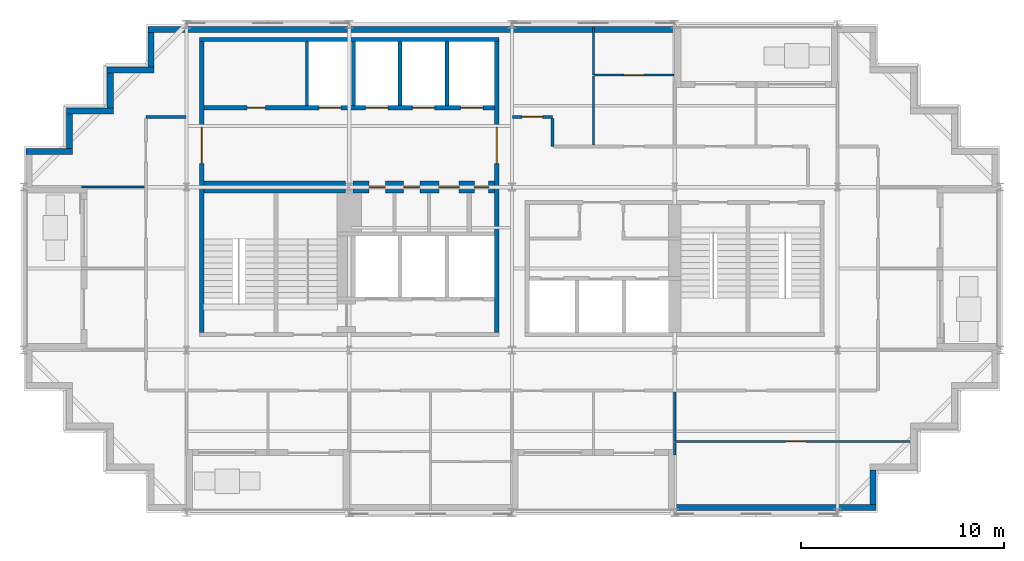
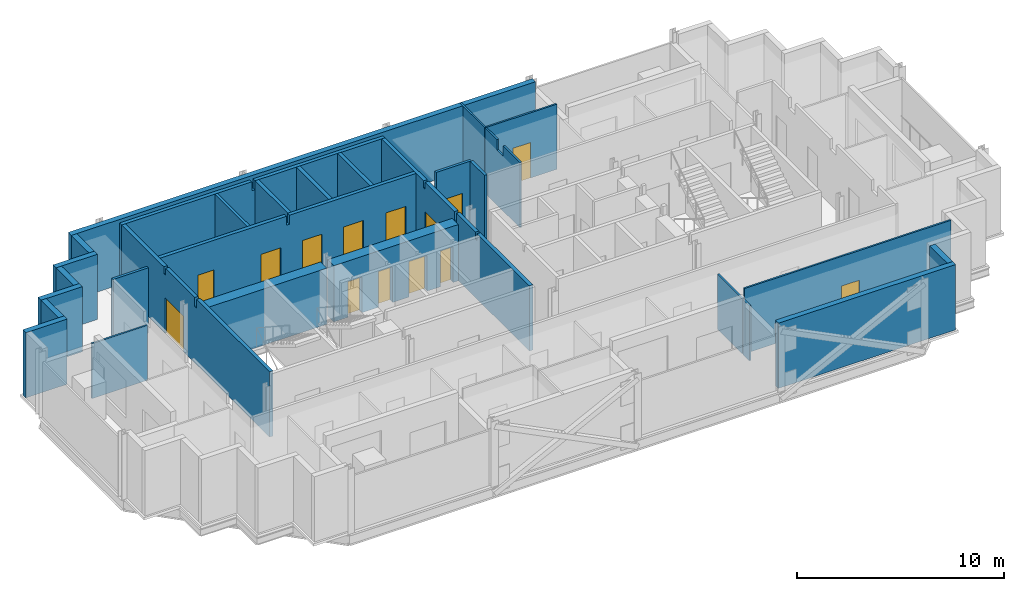
# One storey, part 6 of 10: 29 walls, 14 doors, 14 openings.
"""IFC4 building model written with IfcOpenShell, lengths in metres."""

from ifc_helpers import new_model, si_unit, direction, frame, frame_2d, origin, place, context, subcontext, project, spatial, polyline, rectangle, outline, extrude, material, layer, layer_set, type_object, element, fill, save


model = new_model("IFC4")

# Units and contexts
model_context = context("Model", 3, precision=1e-05, world=origin(), true_north=direction((0.0, 1.0)))
body_context = subcontext(model_context, "Body", "Model", "MODEL_VIEW")
ifc_project = project(units=[si_unit("LENGTHUNIT", "METRE"), si_unit("AREAUNIT", "SQUARE_METRE"), si_unit("VOLUMEUNIT", "CUBIC_METRE"), si_unit("PLANEANGLEUNIT", "RADIAN"), si_unit("MASSUNIT", "GRAM", prefix="KILO")], contexts=[model_context])

# Site, building, storey
site_placement = place(None, origin())
site = spatial("IfcSite", under=ifc_project, at=site_placement, CompositionType="ELEMENT")
building_placement = place(site_placement, origin())
building = spatial("IfcBuilding", under=site, at=building_placement, Name="Immortelle Media Tower", CompositionType="ELEMENT")
storey_placement = place(building_placement, frame((0.0, 0.0, 279.0)))
storey = spatial("IfcBuildingStorey", under=building, at=storey_placement, Name="L61", CompositionType="ELEMENT", Elevation=279.0)

# Wall, openings, doors
ifc_material_1 = material(Name="Fire-rated masonry blockwork", Category="masonry")
ifc_layer_1 = layer(ifc_material_1, 0.60009765625)
ifc_layer_set_1 = layer_set([ifc_layer_1], Name="Fire-rated masonry blockwork")
wall_type_1 = type_object("IfcWallType", Name="Core grid-line wall 600", PredefinedType="PARTITIONING", material=ifc_layer_set_1)
wall_1_placement = place(storey_placement, frame((16.19140625, 16.0, 0.0), z_axis=(0.0, 0.0, 1.0), x_axis=(1.0, 0.0, 0.0)))
wall_1 = element("IfcWall", 1, at=wall_1_placement, inside=storey, type_object=wall_type_1, Name="Core grid-line wall SW", PredefinedType="PARTITIONING", context=body_context, shape_type="SweptSolid", body=[
    extrude(rectangle(XDim=6.95849609375, YDim=0.60009765625, at=frame_2d((3.479248046875, 0.0))), origin(), (0.0, 0.0, 1.0), 3.318115234375),
])
opening_1_placement = place(wall_1_placement, frame((1.58349609375, 0.0, 0.0), z_axis=(0.0, 0.0, 1.0), x_axis=(-1.0, 0.0, 0.0)))
opening_1 = element("IfcOpeningElement", 2, at=opening_1_placement, cuts=wall_1, Name="Opening X4-K009", PredefinedType="OPENING", context=body_context, shape_type="SweptSolid", body=[
    extrude(rectangle(XDim=0.800048828125, YDim=2.10009765625, at=frame_2d((0.39990234375, 1.050048828125))), frame((0.0, 0.31005859375, 0.0), z_axis=(0.0, -1.0, 0.0), x_axis=(1.0, 0.0, 0.0)), (0.0, 0.0, 1.0), 0.6201171875),
])
opening_2_placement = place(wall_1_placement, frame((3.283447265625, 0.0, 0.0), z_axis=(0.0, 0.0, 1.0), x_axis=(-1.0, 0.0, 0.0)))
opening_2 = element("IfcOpeningElement", 3, at=opening_2_placement, cuts=wall_1, Name="Opening X4-K010", PredefinedType="OPENING", context=body_context, shape_type="SweptSolid", body=[
    extrude(rectangle(XDim=0.800048828125, YDim=2.10009765625, at=frame_2d((0.39990234375, 1.050048828125))), frame((0.0, 0.31005859375, 0.0), z_axis=(0.0, -1.0, 0.0), x_axis=(1.0, 0.0, 0.0)), (0.0, 0.0, 1.0), 0.6201171875),
])
opening_3_placement = place(wall_1_placement, frame((5.20849609375, 0.0, 0.0), z_axis=(0.0, 0.0, 1.0), x_axis=(-1.0, 0.0, 0.0)))
opening_3 = element("IfcOpeningElement", 4, at=opening_3_placement, cuts=wall_1, Name="Opening X4-K014", PredefinedType="OPENING", context=body_context, shape_type="SweptSolid", body=[
    extrude(rectangle(XDim=1.0, YDim=2.10009765625, at=frame_2d((0.5, 1.050048828125))), frame((0.0, 0.31005859375, 0.0), z_axis=(0.0, -1.0, 0.0), x_axis=(1.0, 0.0, 0.0)), (0.0, 0.0, 1.0), 0.6201171875),
])
opening_4_placement = place(wall_1_placement, frame((6.658447265625, 0.0, 0.0), z_axis=(0.0, 0.0, 1.0), x_axis=(-1.0, 0.0, 0.0)))
opening_4 = element("IfcOpeningElement", 5, at=opening_4_placement, cuts=wall_1, Name="Opening X4-K017", PredefinedType="OPENING", context=body_context, shape_type="SweptSolid", body=[
    extrude(rectangle(XDim=0.699951171875, YDim=2.10009765625, at=frame_2d((0.35009765625, 1.050048828125))), frame((0.0, 0.31005859375, 0.0), z_axis=(0.0, -1.0, 0.0), x_axis=(1.0, 0.0, 0.0)), (0.0, 0.0, 1.0), 0.6201171875),
])
ifc_material_2 = material(Name="Timber", Category="wood")
door_type_1 = type_object("IfcDoorType", Name="Accessible toilet door 1000 x 2100", OperationType="NOTDEFINED", PredefinedType="NOTDEFINED", material=ifc_material_2)
door_1_placement = place(opening_3_placement, origin())
door_1 = element("IfcDoor", 6, at=door_1_placement, inside=storey, type_object=door_type_1, Name="Accessible toilet X4-K014", OperationType="SINGLE_SWING_RIGHT", OverallHeight=2.10009765625, OverallWidth=1.0, PredefinedType="NOTDEFINED", context=body_context, shape_type="SweptSolid", body=[
    extrude(rectangle(XDim=1.0, YDim=2.10009765625, at=frame_2d((0.5, 1.050048828125))), frame((0.0, 0.02490234375, 0.0), z_axis=(0.0, -1.0, 0.0), x_axis=(1.0, 0.0, 0.0)), (0.0, 0.0, 1.0), 0.050048828125),
])
fill(opening_3, door_1)
ifc_material_3 = material(Name="Galvanised steel door leaf and frame ASTM A653", Category="steel")
door_type_2 = type_object("IfcDoorType", Name="Service door 700 x 2100", OperationType="NOTDEFINED", PredefinedType="NOTDEFINED", material=ifc_material_3)
door_2_placement = place(opening_4_placement, origin())
door_2 = element("IfcDoor", 7, at=door_2_placement, inside=storey, type_object=door_type_2, Name="Service X4-K017", OperationType="SINGLE_SWING_RIGHT", OverallHeight=2.10009765625, OverallWidth=0.699951171875, PredefinedType="NOTDEFINED", context=body_context, shape_type="SweptSolid", body=[
    extrude(rectangle(XDim=0.699951171875, YDim=2.10009765625, at=frame_2d((0.35009765625, 1.050048828125))), frame((0.0, 0.02490234375, 0.0), z_axis=(0.0, -1.0, 0.0), x_axis=(1.0, 0.0, 0.0)), (0.0, 0.0, 1.0), 0.050048828125),
])
fill(opening_4, door_2)
door_type_3 = type_object("IfcDoorType", Name="Toilet door 800 x 2100", OperationType="NOTDEFINED", PredefinedType="NOTDEFINED", material=ifc_material_2)
door_3_placement = place(opening_1_placement, origin())
door_3 = element("IfcDoor", 8, at=door_3_placement, inside=storey, type_object=door_type_3, Name="Toilet X4-K009", OperationType="SINGLE_SWING_RIGHT", OverallHeight=2.10009765625, OverallWidth=0.800048828125, PredefinedType="NOTDEFINED", context=body_context, shape_type="SweptSolid", body=[
    extrude(rectangle(XDim=0.800048828125, YDim=2.10009765625, at=frame_2d((0.39990234375, 1.050048828125))), frame((0.0, 0.02490234375, 0.0), z_axis=(0.0, -1.0, 0.0), x_axis=(1.0, 0.0, 0.0)), (0.0, 0.0, 1.0), 0.050048828125),
])
fill(opening_1, door_3)
door_4_placement = place(opening_2_placement, origin())
door_4 = element("IfcDoor", 9, at=door_4_placement, inside=storey, type_object=door_type_3, Name="Toilet X4-K010", OperationType="SINGLE_SWING_LEFT", OverallHeight=2.10009765625, OverallWidth=0.800048828125, PredefinedType="NOTDEFINED", context=body_context, shape_type="SweptSolid", body=[
    extrude(rectangle(XDim=0.800048828125, YDim=2.10009765625, at=frame_2d((0.39990234375, 1.050048828125))), frame((0.0, 0.02490234375, 0.0), z_axis=(0.0, -1.0, 0.0), x_axis=(1.0, 0.0, 0.0)), (0.0, 0.0, 1.0), 0.050048828125),
])
fill(opening_2, door_4)

# Walls
ifc_material_4 = material(Name="Fire-rated gypsum board", Category="gypsum")
ifc_layer_2 = layer(ifc_material_4, 0.02490234375)
ifc_material_5 = material(Name="Steel ASTM A653 SS Gr 50 stud frame with mineral wool", Category="steel")
ifc_layer_3 = layer(ifc_material_5, 0.10009765625)
ifc_layer_4 = layer(ifc_material_4, 0.02490234375)
ifc_layer_set_2 = layer_set([ifc_layer_2, ifc_layer_3, ifc_layer_4], Name="Steel ASTM A653 SS Gr 50 stud frame with mineral wool")
wall_type_2 = type_object("IfcWallType", Name="Core partition 150", PredefinedType="PARTITIONING", material=ifc_layer_set_2)
wall_2_placement = place(storey_placement, frame((13.925048828125, 20.0, 0.0), z_axis=(0.0, 0.0, 1.0), x_axis=(0.0, 1.0, 0.0)))
element("IfcWall", 10, at=wall_2_placement, inside=storey, type_object=wall_type_2, Name="Core partition SW", PredefinedType="PARTITIONING", context=body_context, shape_type="SweptSolid", body=[
    extrude(rectangle(XDim=3.14990234375, YDim=0.14990234375, at=frame_2d((1.574951171875, 0.0))), origin(), (0.0, 0.0, 1.0), 3.85009765625),
])
ifc_layer_5 = layer(ifc_material_4, 0.03759765625)
ifc_layer_6 = layer(ifc_material_5, 0.125)
ifc_layer_7 = layer(ifc_material_4, 0.03759765625)
ifc_layer_set_3 = layer_set([ifc_layer_5, ifc_layer_6, ifc_layer_7], Name="Steel ASTM A653 SS Gr 50 stud frame with mineral wool")
wall_type_3 = type_object("IfcWallType", Name="Core shaft wall 200", PredefinedType="PARTITIONING", material=ifc_layer_set_3)
wall_3_placement = place(storey_placement, frame((8.64990234375, 23.25, 0.0), z_axis=(0.0, 0.0, 1.0), x_axis=(1.0, 0.0, 0.0)))
element("IfcWall", 11, at=wall_3_placement, inside=storey, type_object=wall_type_3, Name="Core shaft wall SW", PredefinedType="PARTITIONING", context=body_context, shape_type="SweptSolid", body=[
    extrude(outline(polyline([(0.0, 0.0), (14.7001953125, 0.0), (14.699951171875, 3.85009765625), (7.4375, 3.85009765625), (7.4365234375, 3.318115234375), (7.263427734375, 3.318115234375), (7.262451171875, 3.85009765625), (0.0, 3.85009765625), (0.0, 0.0)])), frame((0.0, 0.10009765625, 0.0), z_axis=(0.0, -1.0, 0.0), x_axis=(1.0, 0.0, 0.0)), (0.0, 0.0, 1.0), 0.199951171875),
])

# Wall, openings, doors
wall_4_placement = place(storey_placement, frame((8.85009765625, 19.89990234375, 0.0), z_axis=(0.0, 0.0, 1.0), x_axis=(1.0, 0.0, 0.0)))
wall_4 = element("IfcWall", 12, at=wall_4_placement, inside=storey, type_object=wall_type_3, Name="Core shaft wall SW", PredefinedType="PARTITIONING", context=body_context, shape_type="SweptSolid", body=[
    extrude(outline(polyline([(0.0, 0.0), (14.2998046875, 0.0), (14.300048828125, 3.85009765625), (7.237548828125, 3.85009765625), (7.236572265625, 3.318115234375), (7.0634765625, 3.318115234375), (7.0625, 3.85009765625), (0.0, 3.85009765625), (0.0, 0.0)])), frame((0.0, 0.10009765625, 0.0), z_axis=(0.0, -1.0, 0.0), x_axis=(1.0, 0.0, 0.0)), (0.0, 0.0, 1.0), 0.199951171875),
])
opening_5_placement = place(wall_4_placement, frame((2.125, 0.0, 0.0)))
opening_5 = element("IfcOpeningElement", 13, at=opening_5_placement, cuts=wall_4, Name="Opening X4-K003", PredefinedType="OPENING", context=body_context, shape_type="SweptSolid", body=[
    extrude(rectangle(XDim=0.89990234375, YDim=2.10009765625, at=frame_2d((0.449951171875, 1.050048828125))), frame((0.0, 0.10986328125, 0.0), z_axis=(0.0, -1.0, 0.0), x_axis=(1.0, 0.0, 0.0)), (0.0, 0.0, 1.0), 0.219970703125),
])
opening_6_placement = place(wall_4_placement, frame((5.64990234375, 0.0, 0.0)))
opening_6 = element("IfcOpeningElement", 14, at=opening_6_placement, cuts=wall_4, Name="Opening LD", PredefinedType="OPENING", context=body_context, shape_type="SweptSolid", body=[
    extrude(rectangle(XDim=1.10009765625, YDim=2.10009765625, at=frame_2d((0.550048828125, 1.050048828125))), frame((0.0, 0.10986328125, 0.0), z_axis=(0.0, -1.0, 0.0), x_axis=(1.0, 0.0, 0.0)), (0.0, 0.0, 1.0), 0.219970703125),
])
opening_7_placement = place(wall_4_placement, frame((7.949951171875, 0.0, 0.0)))
opening_7 = element("IfcOpeningElement", 15, at=opening_7_placement, cuts=wall_4, Name="Opening LD", PredefinedType="OPENING", context=body_context, shape_type="SweptSolid", body=[
    extrude(rectangle(XDim=1.10009765625, YDim=2.10009765625, at=frame_2d((0.550048828125, 1.050048828125))), frame((0.0, 0.10986328125, 0.0), z_axis=(0.0, -1.0, 0.0), x_axis=(1.0, 0.0, 0.0)), (0.0, 0.0, 1.0), 0.219970703125),
])
opening_8_placement = place(wall_4_placement, frame((10.25, 0.0, 0.0)))
opening_8 = element("IfcOpeningElement", 16, at=opening_8_placement, cuts=wall_4, Name="Opening LD", PredefinedType="OPENING", context=body_context, shape_type="SweptSolid", body=[
    extrude(rectangle(XDim=1.10009765625, YDim=2.10009765625, at=frame_2d((0.550048828125, 1.050048828125))), frame((0.0, 0.10986328125, 0.0), z_axis=(0.0, -1.0, 0.0), x_axis=(1.0, 0.0, 0.0)), (0.0, 0.0, 1.0), 0.219970703125),
])
opening_9_placement = place(wall_4_placement, frame((12.625, 0.0, 0.0)))
opening_9 = element("IfcOpeningElement", 17, at=opening_9_placement, cuts=wall_4, Name="Opening LD", PredefinedType="OPENING", context=body_context, shape_type="SweptSolid", body=[
    extrude(rectangle(XDim=1.10009765625, YDim=2.10009765625, at=frame_2d((0.550048828125, 1.050048828125))), frame((0.0, 0.10986328125, 0.0), z_axis=(0.0, -1.0, 0.0), x_axis=(1.0, 0.0, 0.0)), (0.0, 0.0, 1.0), 0.219970703125),
])
ifc_material_6 = material(Name="Stainless steel AISI 304", Category="steel")
door_type_4 = type_object("IfcDoorType", Name="Landing door 1100 x 2100", OperationType="SLIDING_TO_LEFT", PredefinedType="NOTDEFINED", material=ifc_material_6)
door_5_placement = place(opening_6_placement, origin())
door_5 = element("IfcDoor", 18, at=door_5_placement, inside=storey, type_object=door_type_4, Name="Landing door HR1 L61", OperationType="SLIDING_TO_LEFT", OverallHeight=2.10009765625, OverallWidth=1.10009765625, PredefinedType="NOTDEFINED", context=body_context, shape_type="SweptSolid", body=[
    extrude(rectangle(XDim=1.10009765625, YDim=2.10009765625, at=frame_2d((0.550048828125, 1.050048828125))), frame((0.0, 0.02490234375, 0.0), z_axis=(0.0, -1.0, 0.0), x_axis=(1.0, 0.0, 0.0)), (0.0, 0.0, 1.0), 0.050048828125),
])
fill(opening_6, door_5)
door_6_placement = place(opening_7_placement, origin())
door_6 = element("IfcDoor", 19, at=door_6_placement, inside=storey, type_object=door_type_4, Name="Landing door HR2 L61", OperationType="SLIDING_TO_LEFT", OverallHeight=2.10009765625, OverallWidth=1.10009765625, PredefinedType="NOTDEFINED", context=body_context, shape_type="SweptSolid", body=[
    extrude(rectangle(XDim=1.10009765625, YDim=2.10009765625, at=frame_2d((0.550048828125, 1.050048828125))), frame((0.0, 0.02490234375, 0.0), z_axis=(0.0, -1.0, 0.0), x_axis=(1.0, 0.0, 0.0)), (0.0, 0.0, 1.0), 0.050048828125),
])
fill(opening_7, door_6)
door_7_placement = place(opening_8_placement, origin())
door_7 = element("IfcDoor", 20, at=door_7_placement, inside=storey, type_object=door_type_4, Name="Landing door HR3 L61", OperationType="SLIDING_TO_LEFT", OverallHeight=2.10009765625, OverallWidth=1.10009765625, PredefinedType="NOTDEFINED", context=body_context, shape_type="SweptSolid", body=[
    extrude(rectangle(XDim=1.10009765625, YDim=2.10009765625, at=frame_2d((0.550048828125, 1.050048828125))), frame((0.0, 0.02490234375, 0.0), z_axis=(0.0, -1.0, 0.0), x_axis=(1.0, 0.0, 0.0)), (0.0, 0.0, 1.0), 0.050048828125),
])
fill(opening_8, door_7)
door_8_placement = place(opening_9_placement, origin())
door_8 = element("IfcDoor", 21, at=door_8_placement, inside=storey, type_object=door_type_4, Name="Landing door HR4 L61", OperationType="SLIDING_TO_LEFT", OverallHeight=2.10009765625, OverallWidth=1.10009765625, PredefinedType="NOTDEFINED", context=body_context, shape_type="SweptSolid", body=[
    extrude(rectangle(XDim=1.10009765625, YDim=2.10009765625, at=frame_2d((0.550048828125, 1.050048828125))), frame((0.0, 0.02490234375, 0.0), z_axis=(0.0, -1.0, 0.0), x_axis=(1.0, 0.0, 0.0)), (0.0, 0.0, 1.0), 0.050048828125),
])
fill(opening_9, door_8)
door_type_5 = type_object("IfcDoorType", Name="Room door 900 x 2100", OperationType="NOTDEFINED", PredefinedType="NOTDEFINED", material=ifc_material_2)
door_9_placement = place(opening_5_placement, origin())
door_9 = element("IfcDoor", 22, at=door_9_placement, inside=storey, type_object=door_type_5, Name="Room X4-K003", OperationType="SINGLE_SWING_LEFT", OverallHeight=2.10009765625, OverallWidth=0.89990234375, PredefinedType="NOTDEFINED", context=body_context, shape_type="SweptSolid", body=[
    extrude(rectangle(XDim=0.89990234375, YDim=2.10009765625, at=frame_2d((0.449951171875, 1.050048828125))), frame((0.0, 0.02490234375, 0.0), z_axis=(0.0, -1.0, 0.0), x_axis=(1.0, 0.0, 0.0)), (0.0, 0.0, 1.0), 0.050048828125),
])
fill(opening_5, door_9)

# Walls
for number, where, z_axis, x_axis, name in (
    (23, (16.199951171875, 20.0, 0.0), (0.0, 0.0, 1.0), (0.0, 1.0, 0.0), "Core shaft wall SW"),
    (24, (18.5, 20.0, 0.0), (0.0, 0.0, 1.0), (0.0, 1.0, 0.0), "Core shaft wall SW"),
    (25, (20.800048828125, 20.0, 0.0), (0.0, 0.0, 1.0), (0.0, 1.0, 0.0), "Core shaft wall SW"),
):
    element("IfcWall", number, at=place(storey_placement, frame(where, z_axis=z_axis, x_axis=x_axis)), inside=storey, type_object=wall_type_3, Name=name, PredefinedType="PARTITIONING", context=body_context, shape_type="SweptSolid", body=[
        extrude(rectangle(XDim=3.14990234375, YDim=0.199951171875, at=frame_2d((1.574951171875, 0.0))), origin(), (0.0, 0.0, 1.0), 3.85009765625),
    ])

# Wall, opening, door
wall_5_placement = place(storey_placement, frame((23.25, 8.85009765625, 0.0), z_axis=(0.0, 0.0, 1.0), x_axis=(0.0, 1.0, 0.0)))
wall_5 = element("IfcWall", 26, at=wall_5_placement, inside=storey, type_object=wall_type_3, Name="Core shaft wall SW", PredefinedType="PARTITIONING", context=body_context, shape_type="SweptSolid", body=[
    extrude(outline(polyline([(0.0, 0.0), (14.2998046875, 0.0), (14.300048828125, 3.85009765625), (10.22509765625, 3.85009765625), (10.22412109375, 3.43994140625), (10.075927734375, 3.43994140625), (10.074951171875, 3.85009765625), (7.237548828125, 3.85009765625), (7.236572265625, 3.318115234375), (7.0634765625, 3.318115234375), (7.0625, 3.85009765625), (5.22509765625, 3.85009765625), (5.22412109375, 3.43994140625), (5.075927734375, 3.43994140625), (5.074951171875, 3.85009765625), (0.0, 3.85009765625), (0.0, 0.0)])), frame((0.0, 0.10009765625, 0.0), z_axis=(0.0, -1.0, 0.0), x_axis=(1.0, 0.0, 0.0)), (0.0, 0.0, 1.0), 0.199951171875),
])
opening_10_placement = place(wall_5_placement, frame((8.300048828125, 0.0, 0.0)))
opening_10 = element("IfcOpeningElement", 27, at=opening_10_placement, cuts=wall_5, Name="Opening X4-K018", PredefinedType="OPENING", context=body_context, shape_type="SweptSolid", body=[
    extrude(rectangle(XDim=1.800048828125, YDim=2.10009765625, at=frame_2d((0.89990234375, 1.050048828125))), frame((0.0, 0.10986328125, 0.0), z_axis=(0.0, -1.0, 0.0), x_axis=(1.0, 0.0, 0.0)), (0.0, 0.0, 1.0), 0.219970703125),
])
door_type_6 = type_object("IfcDoorType", Name="Lift lobby door 1800 x 2100", OperationType="DOUBLE_DOOR_SINGLE_SWING", PredefinedType="NOTDEFINED", material=ifc_material_3)
door_10_placement = place(opening_10_placement, origin())
door_10 = element("IfcDoor", 28, at=door_10_placement, inside=storey, type_object=door_type_6, Name="Lift lobby X4-K018", OperationType="DOUBLE_DOOR_SINGLE_SWING", OverallHeight=2.10009765625, OverallWidth=1.800048828125, PredefinedType="NOTDEFINED", context=body_context, shape_type="SweptSolid", body=[
    extrude(rectangle(XDim=1.800048828125, YDim=2.10009765625, at=frame_2d((0.89990234375, 1.050048828125))), frame((0.0, 0.02490234375, 0.0), z_axis=(0.0, -1.0, 0.0), x_axis=(1.0, 0.0, 0.0)), (0.0, 0.0, 1.0), 0.050048828125),
])
fill(opening_10, door_10)

# Walls
ifc_layer_8 = layer(ifc_material_4, 0.012451171875)
ifc_layer_9 = layer(ifc_material_5, 0.125)
ifc_layer_10 = layer(ifc_material_4, 0.012451171875)
ifc_layer_set_4 = layer_set([ifc_layer_8, ifc_layer_9, ifc_layer_10], Name="Steel ASTM A653 SS Gr 50 stud frame with mineral wool")
wall_type_4 = type_object("IfcWallType", Name="Corridor wall 150", PredefinedType="PARTITIONING", material=ifc_layer_set_4)
wall_6_placement = place(storey_placement, frame((26.0, 18.0, 0.0), z_axis=(0.0, 0.0, 1.0), x_axis=(0.0, 1.0, 0.0)))
element("IfcWall", 29, at=wall_6_placement, inside=storey, type_object=wall_type_4, Name="Partition L61-026", PredefinedType="PARTITIONING", context=body_context, shape_type="SweptSolid", body=[
    extrude(rectangle(XDim=1.375, YDim=0.14990234375, at=frame_2d((0.6875, 0.0))), origin(), (0.0, 0.0, 1.0), 3.85009765625),
])
wall_7_placement = place(storey_placement, frame((6.0, 19.449951171875, 0.0), z_axis=(0.0, 0.0, 1.0), x_axis=(1.0, 0.0, 0.0)))
element("IfcWall", 30, at=wall_7_placement, inside=storey, type_object=wall_type_4, Name="Partition L61-032", PredefinedType="PARTITIONING", context=body_context, shape_type="SweptSolid", body=[
    extrude(rectangle(XDim=1.969970703125, YDim=0.14990234375, at=frame_2d((0.98486328125, 0.0))), origin(), (0.0, 0.0, 1.0), 3.85009765625),
])

# Wall, opening, door
wall_8_placement = place(storey_placement, frame((24.030029296875, 19.449951171875, 0.0), z_axis=(0.0, 0.0, 1.0), x_axis=(1.0, 0.0, 0.0)))
wall_8 = element("IfcWall", 31, at=wall_8_placement, inside=storey, type_object=wall_type_4, Name="Partition L61-033", PredefinedType="PARTITIONING", context=body_context, shape_type="SweptSolid", body=[
    extrude(rectangle(XDim=1.969970703125, YDim=0.14990234375, at=frame_2d((0.98486328125, 0.0))), origin(), (0.0, 0.0, 1.0), 3.85009765625),
])
opening_11_placement = place(wall_8_placement, frame((0.469970703125, 0.0, 0.0)))
opening_11 = element("IfcOpeningElement", 32, at=opening_11_placement, cuts=wall_8, Name="Opening X4-F020", PredefinedType="OPENING", context=body_context, shape_type="SweptSolid", body=[
    extrude(rectangle(XDim=1.0, YDim=2.10009765625, at=frame_2d((0.5, 1.050048828125))), frame((0.0, 0.0849609375, 0.0), z_axis=(0.0, -1.0, 0.0), x_axis=(1.0, 0.0, 0.0)), (0.0, 0.0, 1.0), 0.169921875),
])
ifc_material_7 = material(Name="Timber veneered door leaf, galvanised steel frame ASTM A653", Category="steel")
door_type_7 = type_object("IfcDoorType", Name="Room door 1000 x 2100", OperationType="NOTDEFINED", PredefinedType="DOOR", material=ifc_material_7)
door_11_placement = place(opening_11_placement, origin())
door_11 = element("IfcDoor", 33, at=door_11_placement, inside=storey, type_object=door_type_7, Name="Door X4-F020", OperationType="SINGLE_SWING_LEFT", OverallHeight=2.10009765625, OverallWidth=1.0, PredefinedType="DOOR", context=body_context, shape_type="SweptSolid", body=[
    extrude(rectangle(XDim=1.0, YDim=2.10009765625, at=frame_2d((0.5, 1.050048828125))), frame((0.0, 0.02490234375, 0.0), z_axis=(0.0, -1.0, 0.0), x_axis=(1.0, 0.0, 0.0)), (0.0, 0.0, 1.0), 0.050048828125),
])
fill(opening_11, door_11)

# Walls
ifc_material_8 = material(Name="Pale aluminium cladding panel", Category="aluminium")
ifc_layer_11 = layer(ifc_material_8, 0.030029296875)
ifc_layer_12 = layer(ifc_material_5, 0.257568359375)
ifc_material_9 = material(Name="Moisture-resistant gypsum board", Category="gypsum")
ifc_layer_13 = layer(ifc_material_9, 0.012451171875)
ifc_layer_set_5 = layer_set([ifc_layer_11, ifc_layer_12, ifc_layer_13], Name="Steel ASTM A653 SS Gr 50 stud frame with mineral wool")
wall_type_5 = type_object("IfcWallType", Name="Facade wall 300", PredefinedType="SOLIDWALL", material=ifc_layer_set_5)
wall_9_placement = place(storey_placement, frame((32.0, 0.25, 0.0), z_axis=(0.0, 0.0, 1.0), x_axis=(1.0, 0.0, 0.0)))
element("IfcWall", 34, at=wall_9_placement, inside=storey, type_object=wall_type_5, Name="Facade wall L61 S6", PredefinedType="SOLIDWALL", context=body_context, shape_type="SweptSolid", body=[
    extrude(rectangle(XDim=9.89990234375, YDim=0.300048828125, at=frame_2d((4.949951171875, 0.0))), origin(), (0.0, 0.0, 1.0), 3.85009765625),
])
wall_10_placement = place(storey_placement, frame((41.75, 0.39990234375, 0.0), z_axis=(0.0, 0.0, 1.0), x_axis=(0.0, 1.0, 0.0)))
element("IfcWall", 35, at=wall_10_placement, inside=storey, type_object=wall_type_5, Name="Facade wall L61 E7", PredefinedType="SOLIDWALL", context=body_context, shape_type="SweptSolid", body=[
    extrude(rectangle(XDim=1.7001953125, YDim=0.300048828125, at=frame_2d((0.85009765625, 0.0))), origin(), (0.0, 0.0, 1.0), 3.85009765625),
])
wall_11_placement = place(storey_placement, frame((32.0, 23.75, 0.0), z_axis=(0.0, 0.0, 1.0), x_axis=(-1.0, 0.0, 0.0)))
element("IfcWall", 36, at=wall_11_placement, inside=storey, type_object=wall_type_5, Name="Facade wall L61 N20", PredefinedType="SOLIDWALL", context=body_context, shape_type="SweptSolid", body=[
    extrude(rectangle(XDim=25.89990234375, YDim=0.300048828125, at=frame_2d((12.949951171875, 0.0))), origin(), (0.0, 0.0, 1.0), 3.85009765625),
])
wall_12_placement = place(storey_placement, frame((6.25, 23.60009765625, 0.0), z_axis=(0.0, 0.0, 1.0), x_axis=(0.0, -1.0, 0.0)))
element("IfcWall", 37, at=wall_12_placement, inside=storey, type_object=wall_type_5, Name="Facade wall L61 W21", PredefinedType="SOLIDWALL", context=body_context, shape_type="SweptSolid", body=[
    extrude(rectangle(XDim=1.7001953125, YDim=0.300048828125, at=frame_2d((0.85009765625, 0.0))), origin(), (0.0, 0.0, 1.0), 3.85009765625),
])
wall_13_placement = place(storey_placement, frame((6.39990234375, 21.75, 0.0), z_axis=(0.0, 0.0, 1.0), x_axis=(-1.0, 0.0, 0.0)))
element("IfcWall", 38, at=wall_13_placement, inside=storey, type_object=wall_type_5, Name="Facade wall L61 N22", PredefinedType="SOLIDWALL", context=body_context, shape_type="SweptSolid", body=[
    extrude(rectangle(XDim=2.2998046875, YDim=0.300048828125, at=frame_2d((1.14990234375, 0.0))), origin(), (0.0, 0.0, 1.0), 3.85009765625),
])
wall_14_placement = place(storey_placement, frame((4.25, 21.60009765625, 0.0), z_axis=(0.0, 0.0, 1.0), x_axis=(0.0, -1.0, 0.0)))
element("IfcWall", 39, at=wall_14_placement, inside=storey, type_object=wall_type_5, Name="Facade wall L61 W23", PredefinedType="SOLIDWALL", context=body_context, shape_type="SweptSolid", body=[
    extrude(rectangle(XDim=1.7001953125, YDim=0.300048828125, at=frame_2d((0.85009765625, 0.0))), origin(), (0.0, 0.0, 1.0), 3.85009765625),
])
wall_15_placement = place(storey_placement, frame((4.39990234375, 19.75, 0.0), z_axis=(0.0, 0.0, 1.0), x_axis=(-1.0, 0.0, 0.0)))
element("IfcWall", 40, at=wall_15_placement, inside=storey, type_object=wall_type_5, Name="Facade wall L61 N24", PredefinedType="SOLIDWALL", context=body_context, shape_type="SweptSolid", body=[
    extrude(rectangle(XDim=2.2998046875, YDim=0.300048828125, at=frame_2d((1.14990234375, 0.0))), origin(), (0.0, 0.0, 1.0), 3.85009765625),
])
wall_16_placement = place(storey_placement, frame((2.25, 19.60009765625, 0.0), z_axis=(0.0, 0.0, 1.0), x_axis=(0.0, -1.0, 0.0)))
element("IfcWall", 41, at=wall_16_placement, inside=storey, type_object=wall_type_5, Name="Facade wall L61 W25", PredefinedType="SOLIDWALL", context=body_context, shape_type="SweptSolid", body=[
    extrude(rectangle(XDim=1.7001953125, YDim=0.300048828125, at=frame_2d((0.85009765625, 0.0))), origin(), (0.0, 0.0, 1.0), 3.85009765625),
])
wall_17_placement = place(storey_placement, frame((2.39990234375, 17.75, 0.0), z_axis=(0.0, 0.0, 1.0), x_axis=(-1.0, 0.0, 0.0)))
element("IfcWall", 42, at=wall_17_placement, inside=storey, type_object=wall_type_5, Name="Facade wall L61 N26", PredefinedType="SOLIDWALL", context=body_context, shape_type="SweptSolid", body=[
    extrude(rectangle(XDim=2.2998046875, YDim=0.300048828125, at=frame_2d((1.14990234375, 0.0))), origin(), (0.0, 0.0, 1.0), 3.85009765625),
])
ifc_material_10 = material(Name="Gypsum board", Category="gypsum")
ifc_layer_14 = layer(ifc_material_10, 0.012451171875)
ifc_layer_15 = layer(ifc_material_5, 0.074951171875)
ifc_layer_16 = layer(ifc_material_10, 0.012451171875)
ifc_layer_set_6 = layer_set([ifc_layer_14, ifc_layer_15, ifc_layer_16], Name="Steel ASTM A653 SS Gr 50 stud frame with mineral wool")
wall_type_6 = type_object("IfcWallType", Name="Partition 100", PredefinedType="PARTITIONING", material=ifc_layer_set_6)
wall_18_placement = place(storey_placement, frame((32.0, 2.830078125, 0.0), z_axis=(0.0, 0.0, 1.0), x_axis=(0.0, 1.0, 0.0)))
element("IfcWall", 43, at=wall_18_placement, inside=storey, type_object=wall_type_6, Name="Partition L61-008", PredefinedType="PARTITIONING", context=body_context, shape_type="SweptSolid", body=[
    extrude(rectangle(XDim=0.619873046875, YDim=0.10009765625, at=frame_2d((0.31005859375, 0.0))), origin(), (0.0, 0.0, 1.0), 3.238037109375),
])

# Wall, opening, door
wall_19_placement = place(storey_placement, frame((32.050048828125, 3.5, 0.0), z_axis=(0.0, 0.0, 1.0), x_axis=(1.0, 0.0, 0.0)))
wall_19 = element("IfcWall", 44, at=wall_19_placement, inside=storey, type_object=wall_type_6, Name="Partition L61-012", PredefinedType="PARTITIONING", context=body_context, shape_type="SweptSolid", body=[
    extrude(rectangle(XDim=11.52001953125, YDim=0.10009765625, at=frame_2d((5.760009765625, 0.0))), origin(), (0.0, 0.0, 1.0), 3.85009765625),
])
opening_12_placement = place(wall_19_placement, frame((6.39990234375, 0.0, 0.0), z_axis=(0.0, 0.0, 1.0), x_axis=(-1.0, 0.0, 0.0)))
opening_12 = element("IfcOpeningElement", 45, at=opening_12_placement, cuts=wall_19, Name="Opening X4-F006", PredefinedType="OPENING", context=body_context, shape_type="SweptSolid", body=[
    extrude(rectangle(XDim=1.0, YDim=2.10009765625, at=frame_2d((0.5, 1.050048828125))), frame((0.0, 0.06005859375, 0.0), z_axis=(0.0, -1.0, 0.0), x_axis=(1.0, 0.0, 0.0)), (0.0, 0.0, 1.0), 0.1201171875),
])
door_12_placement = place(opening_12_placement, origin())
door_12 = element("IfcDoor", 46, at=door_12_placement, inside=storey, type_object=door_type_7, Name="Door X4-F006", OperationType="SINGLE_SWING_RIGHT", OverallHeight=2.10009765625, OverallWidth=1.0, PredefinedType="DOOR", context=body_context, shape_type="SweptSolid", body=[
    extrude(rectangle(XDim=1.0, YDim=2.10009765625, at=frame_2d((0.5, 1.050048828125))), frame((0.0, 0.02490234375, 0.0), z_axis=(0.0, -1.0, 0.0), x_axis=(1.0, 0.0, 0.0)), (0.0, 0.0, 1.0), 0.050048828125),
])
fill(opening_12, door_12)

# Walls
wall_20_placement = place(storey_placement, frame((32.0, 3.5, 0.0), z_axis=(0.0, 0.0, 1.0), x_axis=(0.0, 1.0, 0.0)))
element("IfcWall", 47, at=wall_20_placement, inside=storey, type_object=wall_type_6, Name="Partition L61-013", PredefinedType="PARTITIONING", context=body_context, shape_type="SweptSolid", body=[
    extrude(rectangle(XDim=2.425048828125, YDim=0.10009765625, at=frame_2d((1.21240234375, 0.0))), origin(), (0.0, 0.0, 1.0), 3.238037109375),
])
wall_21_placement = place(storey_placement, frame((2.830078125, 16.0, 0.0), z_axis=(0.0, 0.0, 1.0), x_axis=(1.0, 0.0, 0.0)))
element("IfcWall", 48, at=wall_21_placement, inside=storey, type_object=wall_type_6, Name="Partition L61-021", PredefinedType="PARTITIONING", context=body_context, shape_type="SweptSolid", body=[
    extrude(rectangle(XDim=3.094970703125, YDim=0.10009765625, at=frame_2d((1.54736328125, 0.0))), origin(), (0.0, 0.0, 1.0), 3.238037109375),
])
wall_22_placement = place(storey_placement, frame((28.0, 18.074951171875, 0.0), z_axis=(0.0, 0.0, 1.0), x_axis=(0.0, 1.0, 0.0)))
element("IfcWall", 49, at=wall_22_placement, inside=storey, type_object=wall_type_6, Name="Partition L61-027", PredefinedType="PARTITIONING", context=body_context, shape_type="SweptSolid", body=[
    extrude(outline(polyline([(0.0, 0.0), (3.375, 0.0), (3.375, 3.85009765625), (2.22509765625, 3.85009765625), (2.222900390625, 3.238037109375), (1.626953125, 3.238037109375), (1.625, 3.85009765625), (0.0, 3.85009765625), (0.0, 0.0)])), frame((0.0, 0.050048828125, 0.0), z_axis=(0.0, -1.0, 0.0), x_axis=(1.0, 0.0, 0.0)), (0.0, 0.0, 1.0), 0.10009765625),
])

# Wall, opening, door
wall_23_placement = place(storey_placement, frame((28.050048828125, 21.5, 0.0), z_axis=(0.0, 0.0, 1.0), x_axis=(1.0, 0.0, 0.0)))
wall_23 = element("IfcWall", 50, at=wall_23_placement, inside=storey, type_object=wall_type_6, Name="Partition L61-034", PredefinedType="PARTITIONING", context=body_context, shape_type="SweptSolid", body=[
    extrude(rectangle(XDim=3.919921875, YDim=0.10009765625, at=frame_2d((1.9599609375, 0.0))), origin(), (0.0, 0.0, 1.0), 3.85009765625),
])
opening_13_placement = place(wall_23_placement, frame((2.449951171875, 0.0, 0.0), z_axis=(0.0, 0.0, 1.0), x_axis=(-1.0, 0.0, 0.0)))
opening_13 = element("IfcOpeningElement", 51, at=opening_13_placement, cuts=wall_23, Name="Opening X4-F022", PredefinedType="OPENING", context=body_context, shape_type="SweptSolid", body=[
    extrude(rectangle(XDim=1.0, YDim=2.10009765625, at=frame_2d((0.5, 1.050048828125))), frame((0.0, 0.06005859375, 0.0), z_axis=(0.0, -1.0, 0.0), x_axis=(1.0, 0.0, 0.0)), (0.0, 0.0, 1.0), 0.1201171875),
])
door_13_placement = place(opening_13_placement, origin())
door_13 = element("IfcDoor", 52, at=door_13_placement, inside=storey, type_object=door_type_7, Name="Door X4-F022", OperationType="SINGLE_SWING_LEFT", OverallHeight=2.10009765625, OverallWidth=1.0, PredefinedType="DOOR", context=body_context, shape_type="SweptSolid", body=[
    extrude(rectangle(XDim=1.0, YDim=2.10009765625, at=frame_2d((0.5, 1.050048828125))), frame((0.0, 0.02490234375, 0.0), z_axis=(0.0, -1.0, 0.0), x_axis=(1.0, 0.0, 0.0)), (0.0, 0.0, 1.0), 0.050048828125),
])
fill(opening_13, door_13)

# Wall
wall_24_placement = place(storey_placement, frame((28.0, 21.5, 0.0), z_axis=(0.0, 0.0, 1.0), x_axis=(0.0, 1.0, 0.0)))
element("IfcWall", 53, at=wall_24_placement, inside=storey, type_object=wall_type_6, Name="Partition L61-035", PredefinedType="PARTITIONING", context=body_context, shape_type="SweptSolid", body=[
    extrude(rectangle(XDim=2.3701171875, YDim=0.10009765625, at=frame_2d((1.18505859375, 0.0))), origin(), (0.0, 0.0, 1.0), 3.85009765625),
])

# Wall, opening, door
ifc_material_11 = material(Name="Concrete C60", Category="concrete")
ifc_layer_17 = layer(ifc_material_11, 0.199951171875)
ifc_layer_set_7 = layer_set([ifc_layer_17], Name="Concrete C60")
wall_type_7 = type_object("IfcWallType", Name="Stair shaft wall 200", PredefinedType="PARTITIONING", material=ifc_layer_set_7)
wall_25_placement = place(storey_placement, frame((8.75, 8.85009765625, 0.0), z_axis=(0.0, 0.0, 1.0), x_axis=(0.0, 1.0, 0.0)))
wall_25 = element("IfcWall", 54, at=wall_25_placement, inside=storey, type_object=wall_type_7, Name="Stair shaft wall SW", PredefinedType="PARTITIONING", context=body_context, shape_type="SweptSolid", body=[
    extrude(outline(polyline([(0.0, 0.0), (14.2998046875, 0.0), (14.300048828125, 3.85009765625), (10.22509765625, 3.85009765625), (10.22412109375, 3.43994140625), (10.075927734375, 3.43994140625), (10.074951171875, 3.85009765625), (7.237548828125, 3.85009765625), (7.236572265625, 3.318115234375), (7.0634765625, 3.318115234375), (7.0625, 3.85009765625), (0.0, 3.85009765625), (0.0, 0.0)])), frame((0.0, 0.10009765625, 0.0), z_axis=(0.0, -1.0, 0.0), x_axis=(1.0, 0.0, 0.0)), (0.0, 0.0, 1.0), 0.199951171875),
])
opening_14_placement = place(wall_25_placement, frame((8.300048828125, 0.0, 0.0)))
opening_14 = element("IfcOpeningElement", 55, at=opening_14_placement, cuts=wall_25, Name="Opening X4-K001", PredefinedType="OPENING", context=body_context, shape_type="SweptSolid", body=[
    extrude(rectangle(XDim=1.800048828125, YDim=2.10009765625, at=frame_2d((0.89990234375, 1.050048828125))), frame((0.0, 0.10986328125, 0.0), z_axis=(0.0, -1.0, 0.0), x_axis=(1.0, 0.0, 0.0)), (0.0, 0.0, 1.0), 0.219970703125),
])
door_14_placement = place(opening_14_placement, origin())
door_14 = element("IfcDoor", 56, at=door_14_placement, inside=storey, type_object=door_type_6, Name="Lift lobby X4-K001", OperationType="DOUBLE_DOOR_SINGLE_SWING", OverallHeight=2.10009765625, OverallWidth=1.800048828125, PredefinedType="NOTDEFINED", context=body_context, shape_type="SweptSolid", body=[
    extrude(rectangle(XDim=1.800048828125, YDim=2.10009765625, at=frame_2d((0.89990234375, 1.050048828125))), frame((0.0, 0.02490234375, 0.0), z_axis=(0.0, -1.0, 0.0), x_axis=(1.0, 0.0, 0.0)), (0.0, 0.0, 1.0), 0.050048828125),
])
fill(opening_14, door_14)

# Wall
ifc_layer_18 = layer(ifc_material_11, 0.60009765625)
ifc_layer_set_8 = layer_set([ifc_layer_18], Name="Concrete C60")
wall_type_8 = type_object("IfcWallType", Name="Stair shaft wall 600", PredefinedType="PARTITIONING", material=ifc_layer_set_8)
wall_26_placement = place(storey_placement, frame((8.85009765625, 16.0, 0.0), z_axis=(0.0, 0.0, 1.0), x_axis=(1.0, 0.0, 0.0)))
element("IfcWall", 57, at=wall_26_placement, inside=storey, type_object=wall_type_8, Name="Stair shaft wall SW", PredefinedType="PARTITIONING", context=body_context, shape_type="SweptSolid", body=[
    extrude(rectangle(XDim=6.95849609375, YDim=0.60009765625, at=frame_2d((3.479248046875, 0.0))), origin(), (0.0, 0.0, 1.0), 3.318115234375),
])

save(model, "model.ifc")
